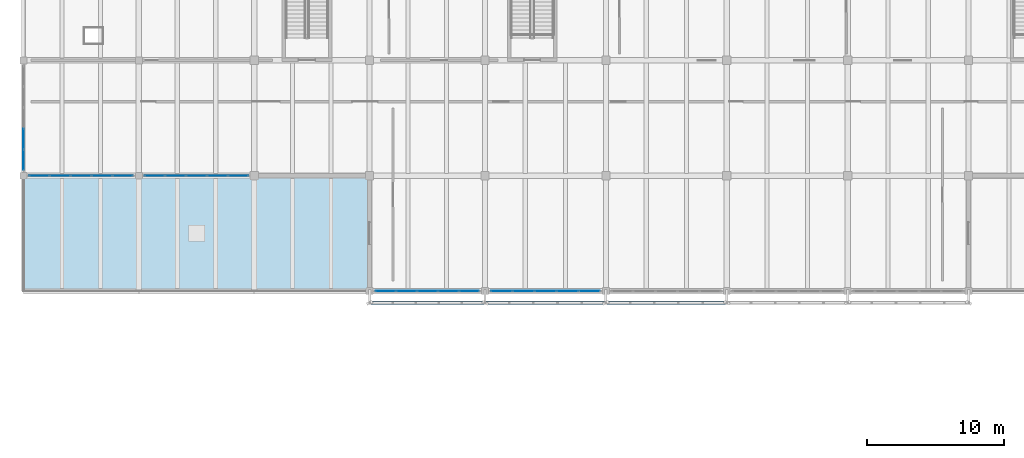
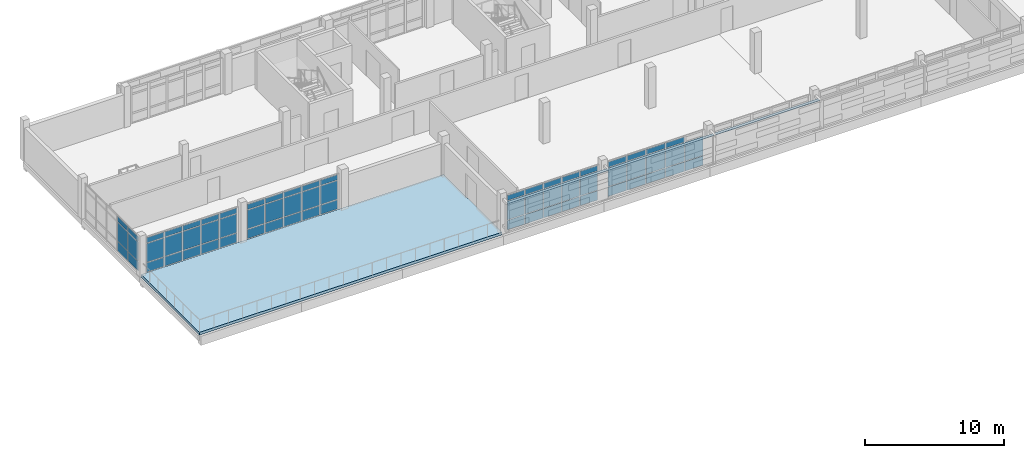
# One storey, part 37 of 50: 68 plates, 1 slab, 5 elements without a shape of their own.
"""IFC4 building model written with IfcOpenShell, lengths in metres."""

from ifc_helpers import new_model, si_unit, direction, frame, origin, origin_2d, place, context, subcontext, project, spatial, polyline, rectangle, outline, extrude, material, layer, layer_set, type_object, element, aggregate, save


model = new_model("IFC4")

# Units and contexts
model_context = context("Model", 3, precision=1e-05, world=origin(), true_north=direction((0.0, 1.0)))
body_context = subcontext(model_context, "Body", "Model", "MODEL_VIEW")
ifc_project = project(units=[si_unit("LENGTHUNIT", "METRE"), si_unit("AREAUNIT", "SQUARE_METRE"), si_unit("VOLUMEUNIT", "CUBIC_METRE"), si_unit("PLANEANGLEUNIT", "RADIAN"), si_unit("MASSUNIT", "GRAM", prefix="KILO")], contexts=[model_context])

# Site, building, storey
site_placement = place(None, origin())
site = spatial("IfcSite", under=ifc_project, at=site_placement, CompositionType="ELEMENT")
building_placement = place(site_placement, origin())
building = spatial("IfcBuilding", under=site, at=building_placement, Name="Cinderway Yard Community Centre", CompositionType="ELEMENT")
storey_placement = place(building_placement, frame((0.0, 0.0, 12.89990234375)))
storey = spatial("IfcBuildingStorey", under=building, at=storey_placement, Name="L03", CompositionType="ELEMENT", Elevation=12.89990234375)

# Curtain wall, plates
ifc_material_1 = material(Name="Aluminium 6063-T6", Category="aluminium")
curtain_wall_type_1 = type_object("IfcCurtainWallType", Name="ENV-CW-TYPE-32", PredefinedType="USERDEFINED", material=ifc_material_1)
curtain_wall_1_placement = place(storey_placement, origin())
curtain_wall_1 = element("IfcCurtainWall", 1, at=curtain_wall_1_placement, inside=storey, type_object=curtain_wall_type_1, Name="V4 West End Curtain Wall ENV-CW-L03-ST-0174", ObjectType="GLAZED CURTAIN WALL", PredefinedType="USERDEFINED")
ifc_material_2 = material(Name="Laminated Low-E Glass", Category="glass")
ifc_layer_1 = layer(ifc_material_2, 0.028076171875, Name="Laminated Low-E Glass")
ifc_layer_set_1 = layer_set([ifc_layer_1], Name="Laminated Low-E Glass")
plate_type_1 = type_object("IfcPlateType", Name="ENV-CW-PAN-IGU28", PredefinedType="CURTAIN_PANEL", material=ifc_layer_set_1)
plate_1_placement = place(storey_placement, frame((41.60009765625, 99.55908203125, 0.06005859375), z_axis=(0.0, 0.0, 1.0), x_axis=(0.0, 1.0, 0.0)))
plate_1 = element("IfcPlate", 2, at=plate_1_placement, type_object=plate_type_1, Name="CW-32 panel 1.1", PredefinedType="CURTAIN_PANEL", context=body_context, shape_type="SweptSolid", body=[
    extrude(rectangle(XDim=1.43798828125, YDim=0.028076171875, at=origin_2d()), origin(), (0.0, 0.0, 1.0), 0.81005859375),
])
plate_2_placement = place(storey_placement, frame((41.60009765625, 99.55908203125, 0.93017578125), z_axis=(0.0, 0.0, 1.0), x_axis=(0.0, 1.0, 0.0)))
plate_2 = element("IfcPlate", 3, at=plate_2_placement, type_object=plate_type_1, Name="CW-32 panel 1.2", PredefinedType="CURTAIN_PANEL", context=body_context, shape_type="SweptSolid", body=[
    extrude(rectangle(XDim=1.43798828125, YDim=0.028076171875, at=origin_2d()), origin(), (0.0, 0.0, 1.0), 1.639892578125),
])
plate_3_placement = place(storey_placement, frame((41.60009765625, 99.55908203125, 2.630126953125), z_axis=(0.0, 0.0, 1.0), x_axis=(0.0, 1.0, 0.0)))
plate_3 = element("IfcPlate", 4, at=plate_3_placement, type_object=plate_type_1, Name="CW-32 panel 1.3", PredefinedType="CURTAIN_PANEL", context=body_context, shape_type="SweptSolid", body=[
    extrude(rectangle(XDim=1.43798828125, YDim=0.028076171875, at=origin_2d()), origin(), (0.0, 0.0, 1.0), 0.4599609375),
])
plate_4_placement = place(storey_placement, frame((41.60009765625, 101.072021484375, 0.06005859375), z_axis=(0.0, 0.0, 1.0), x_axis=(0.0, 1.0, 0.0)))
plate_4 = element("IfcPlate", 5, at=plate_4_placement, type_object=plate_type_1, Name="CW-32 panel 2.1", PredefinedType="CURTAIN_PANEL", context=body_context, shape_type="SweptSolid", body=[
    extrude(rectangle(XDim=1.468017578125, YDim=0.028076171875, at=origin_2d()), origin(), (0.0, 0.0, 1.0), 0.81005859375),
])
plate_5_placement = place(storey_placement, frame((41.60009765625, 101.072021484375, 0.93017578125), z_axis=(0.0, 0.0, 1.0), x_axis=(0.0, 1.0, 0.0)))
plate_5 = element("IfcPlate", 6, at=plate_5_placement, type_object=plate_type_1, Name="CW-32 panel 2.2", PredefinedType="CURTAIN_PANEL", context=body_context, shape_type="SweptSolid", body=[
    extrude(rectangle(XDim=1.468017578125, YDim=0.028076171875, at=origin_2d()), origin(), (0.0, 0.0, 1.0), 1.639892578125),
])
plate_6_placement = place(storey_placement, frame((41.60009765625, 101.072021484375, 2.630126953125), z_axis=(0.0, 0.0, 1.0), x_axis=(0.0, 1.0, 0.0)))
plate_6 = element("IfcPlate", 7, at=plate_6_placement, type_object=plate_type_1, Name="CW-32 panel 2.3", PredefinedType="CURTAIN_PANEL", context=body_context, shape_type="SweptSolid", body=[
    extrude(rectangle(XDim=1.468017578125, YDim=0.028076171875, at=origin_2d()), origin(), (0.0, 0.0, 1.0), 0.4599609375),
])
aggregate(curtain_wall_1, [plate_1, plate_2, plate_3, plate_4, plate_5, plate_6])

curtain_wall_2_placement = place(storey_placement, origin())
curtain_wall_2 = element("IfcCurtainWall", 8, at=curtain_wall_2_placement, inside=storey, type_object=curtain_wall_type_1, Name="V4 Courtyard Curtain Wall ENV-CW-L03-HS-0160", ObjectType="GLAZED CURTAIN WALL", PredefinedType="USERDEFINED")
ifc_layer_2 = layer(ifc_material_2, 0.031982421875, Name="Laminated Low-E Glass")
ifc_layer_set_2 = layer_set([ifc_layer_2], Name="Laminated Low-E Glass")
plate_type_2 = type_object("IfcPlateType", Name="ENV-CW-PAN-IGU32", PredefinedType="CURTAIN_PANEL", material=ifc_layer_set_2)
plate_7_placement = place(storey_placement, frame((42.759033203125, 98.39990234375, 0.06005859375), z_axis=(0.0, 0.0, 1.0), x_axis=(1.0, 0.0, 0.0)))
plate_7 = element("IfcPlate", 9, at=plate_7_placement, type_object=plate_type_2, Name="CW-32 panel 1.1", PredefinedType="CURTAIN_PANEL", context=body_context, shape_type="SweptSolid", body=[
    extrude(rectangle(XDim=1.43798828125, YDim=0.028076171875, at=origin_2d()), origin(), (0.0, 0.0, 1.0), 0.81005859375),
])
plate_8_placement = place(storey_placement, frame((42.759033203125, 98.39990234375, 0.93017578125), z_axis=(0.0, 0.0, 1.0), x_axis=(1.0, 0.0, 0.0)))
plate_8 = element("IfcPlate", 10, at=plate_8_placement, type_object=plate_type_2, Name="CW-32 panel 1.2", PredefinedType="CURTAIN_PANEL", context=body_context, shape_type="SweptSolid", body=[
    extrude(rectangle(XDim=1.43798828125, YDim=0.028076171875, at=origin_2d()), origin(), (0.0, 0.0, 1.0), 1.639892578125),
])
plate_9_placement = place(storey_placement, frame((42.759033203125, 98.39990234375, 2.630126953125), z_axis=(0.0, 0.0, 1.0), x_axis=(1.0, 0.0, 0.0)))
plate_9 = element("IfcPlate", 11, at=plate_9_placement, type_object=plate_type_2, Name="CW-32 panel 1.3", PredefinedType="CURTAIN_PANEL", context=body_context, shape_type="SweptSolid", body=[
    extrude(rectangle(XDim=1.43798828125, YDim=0.028076171875, at=origin_2d()), origin(), (0.0, 0.0, 1.0), 0.4599609375),
])
plate_10_placement = place(storey_placement, frame((44.27197265625, 98.39990234375, 0.06005859375), z_axis=(0.0, 0.0, 1.0), x_axis=(1.0, 0.0, 0.0)))
plate_10 = element("IfcPlate", 12, at=plate_10_placement, type_object=plate_type_2, Name="CW-32 panel 2.1", PredefinedType="CURTAIN_PANEL", context=body_context, shape_type="SweptSolid", body=[
    extrude(rectangle(XDim=1.468017578125, YDim=0.028076171875, at=origin_2d()), origin(), (0.0, 0.0, 1.0), 0.81005859375),
])
plate_11_placement = place(storey_placement, frame((44.27197265625, 98.39990234375, 0.93017578125), z_axis=(0.0, 0.0, 1.0), x_axis=(1.0, 0.0, 0.0)))
plate_11 = element("IfcPlate", 13, at=plate_11_placement, type_object=plate_type_2, Name="CW-32 panel 2.2", PredefinedType="CURTAIN_PANEL", context=body_context, shape_type="SweptSolid", body=[
    extrude(rectangle(XDim=1.468017578125, YDim=0.028076171875, at=origin_2d()), origin(), (0.0, 0.0, 1.0), 1.639892578125),
])
plate_12_placement = place(storey_placement, frame((44.27197265625, 98.39990234375, 2.630126953125), z_axis=(0.0, 0.0, 1.0), x_axis=(1.0, 0.0, 0.0)))
plate_12 = element("IfcPlate", 14, at=plate_12_placement, type_object=plate_type_2, Name="CW-32 panel 2.3", PredefinedType="CURTAIN_PANEL", context=body_context, shape_type="SweptSolid", body=[
    extrude(rectangle(XDim=1.468017578125, YDim=0.028076171875, at=origin_2d()), origin(), (0.0, 0.0, 1.0), 0.4599609375),
])
plate_13_placement = place(storey_placement, frame((45.800048828125, 98.39990234375, 0.06005859375), z_axis=(0.0, 0.0, 1.0), x_axis=(1.0, 0.0, 0.0)))
plate_13 = element("IfcPlate", 15, at=plate_13_placement, type_object=plate_type_2, Name="CW-32 panel 3.1", PredefinedType="CURTAIN_PANEL", context=body_context, shape_type="SweptSolid", body=[
    extrude(rectangle(XDim=1.468017578125, YDim=0.028076171875, at=origin_2d()), origin(), (0.0, 0.0, 1.0), 0.81005859375),
])
plate_14_placement = place(storey_placement, frame((45.800048828125, 98.39990234375, 0.93017578125), z_axis=(0.0, 0.0, 1.0), x_axis=(1.0, 0.0, 0.0)))
plate_14 = element("IfcPlate", 16, at=plate_14_placement, type_object=plate_type_2, Name="CW-32 panel 3.2", PredefinedType="CURTAIN_PANEL", context=body_context, shape_type="SweptSolid", body=[
    extrude(rectangle(XDim=1.468017578125, YDim=0.028076171875, at=origin_2d()), origin(), (0.0, 0.0, 1.0), 1.639892578125),
])
plate_15_placement = place(storey_placement, frame((45.800048828125, 98.39990234375, 2.630126953125), z_axis=(0.0, 0.0, 1.0), x_axis=(1.0, 0.0, 0.0)))
plate_15 = element("IfcPlate", 17, at=plate_15_placement, type_object=plate_type_2, Name="CW-32 panel 3.3", PredefinedType="CURTAIN_PANEL", context=body_context, shape_type="SweptSolid", body=[
    extrude(rectangle(XDim=1.468017578125, YDim=0.028076171875, at=origin_2d()), origin(), (0.0, 0.0, 1.0), 0.4599609375),
])
plate_16_placement = place(storey_placement, frame((47.327880859375, 98.39990234375, 0.06005859375), z_axis=(0.0, 0.0, 1.0), x_axis=(1.0, 0.0, 0.0)))
plate_16 = element("IfcPlate", 18, at=plate_16_placement, type_object=plate_type_2, Name="CW-32 panel 4.1", PredefinedType="CURTAIN_PANEL", context=body_context, shape_type="SweptSolid", body=[
    extrude(rectangle(XDim=1.468017578125, YDim=0.028076171875, at=origin_2d()), origin(), (0.0, 0.0, 1.0), 0.81005859375),
])
plate_17_placement = place(storey_placement, frame((47.327880859375, 98.39990234375, 0.93017578125), z_axis=(0.0, 0.0, 1.0), x_axis=(1.0, 0.0, 0.0)))
plate_17 = element("IfcPlate", 19, at=plate_17_placement, type_object=plate_type_2, Name="CW-32 panel 4.2", PredefinedType="CURTAIN_PANEL", context=body_context, shape_type="SweptSolid", body=[
    extrude(rectangle(XDim=1.468017578125, YDim=0.028076171875, at=origin_2d()), origin(), (0.0, 0.0, 1.0), 1.639892578125),
])
plate_18_placement = place(storey_placement, frame((47.327880859375, 98.39990234375, 2.630126953125), z_axis=(0.0, 0.0, 1.0), x_axis=(1.0, 0.0, 0.0)))
plate_18 = element("IfcPlate", 20, at=plate_18_placement, type_object=plate_type_2, Name="CW-32 panel 4.3", PredefinedType="CURTAIN_PANEL", context=body_context, shape_type="SweptSolid", body=[
    extrude(rectangle(XDim=1.468017578125, YDim=0.028076171875, at=origin_2d()), origin(), (0.0, 0.0, 1.0), 0.4599609375),
])
plate_19_placement = place(storey_placement, frame((48.841064453125, 98.39990234375, 0.06005859375), z_axis=(0.0, 0.0, 1.0), x_axis=(1.0, 0.0, 0.0)))
plate_19 = element("IfcPlate", 21, at=plate_19_placement, type_object=plate_type_2, Name="CW-32 panel 5.1", PredefinedType="CURTAIN_PANEL", context=body_context, shape_type="SweptSolid", body=[
    extrude(rectangle(XDim=1.43798828125, YDim=0.028076171875, at=origin_2d()), origin(), (0.0, 0.0, 1.0), 0.81005859375),
])
plate_20_placement = place(storey_placement, frame((48.841064453125, 98.39990234375, 0.93017578125), z_axis=(0.0, 0.0, 1.0), x_axis=(1.0, 0.0, 0.0)))
plate_20 = element("IfcPlate", 22, at=plate_20_placement, type_object=plate_type_2, Name="CW-32 panel 5.2", PredefinedType="CURTAIN_PANEL", context=body_context, shape_type="SweptSolid", body=[
    extrude(rectangle(XDim=1.43798828125, YDim=0.028076171875, at=origin_2d()), origin(), (0.0, 0.0, 1.0), 1.639892578125),
])
plate_21_placement = place(storey_placement, frame((48.841064453125, 98.39990234375, 2.630126953125), z_axis=(0.0, 0.0, 1.0), x_axis=(1.0, 0.0, 0.0)))
plate_21 = element("IfcPlate", 23, at=plate_21_placement, type_object=plate_type_2, Name="CW-32 panel 5.3", PredefinedType="CURTAIN_PANEL", context=body_context, shape_type="SweptSolid", body=[
    extrude(rectangle(XDim=1.43798828125, YDim=0.028076171875, at=origin_2d()), origin(), (0.0, 0.0, 1.0), 0.4599609375),
])
aggregate(curtain_wall_2, [plate_7, plate_8, plate_9, plate_10, plate_11, plate_12, plate_13, plate_14, plate_15, plate_16, plate_17, plate_18, plate_19, plate_20, plate_21])

curtain_wall_3_placement = place(storey_placement, origin())
curtain_wall_3 = element("IfcCurtainWall", 24, at=curtain_wall_3_placement, inside=storey, type_object=curtain_wall_type_1, Name="V4 Courtyard Curtain Wall ENV-CW-L03-HS-0162", ObjectType="GLAZED CURTAIN WALL", PredefinedType="USERDEFINED")
plate_22_placement = place(storey_placement, frame((51.158935546875, 98.39990234375, 0.06005859375), z_axis=(0.0, 0.0, 1.0), x_axis=(1.0, 0.0, 0.0)))
plate_22 = element("IfcPlate", 25, at=plate_22_placement, type_object=plate_type_2, Name="CW-32 panel 1.1", PredefinedType="CURTAIN_PANEL", context=body_context, shape_type="SweptSolid", body=[
    extrude(rectangle(XDim=1.43798828125, YDim=0.028076171875, at=origin_2d()), origin(), (0.0, 0.0, 1.0), 0.81005859375),
])
plate_23_placement = place(storey_placement, frame((51.158935546875, 98.39990234375, 0.93017578125), z_axis=(0.0, 0.0, 1.0), x_axis=(1.0, 0.0, 0.0)))
plate_23 = element("IfcPlate", 26, at=plate_23_placement, type_object=plate_type_2, Name="CW-32 panel 1.2", PredefinedType="CURTAIN_PANEL", context=body_context, shape_type="SweptSolid", body=[
    extrude(rectangle(XDim=1.43798828125, YDim=0.028076171875, at=origin_2d()), origin(), (0.0, 0.0, 1.0), 1.639892578125),
])
plate_24_placement = place(storey_placement, frame((51.158935546875, 98.39990234375, 2.630126953125), z_axis=(0.0, 0.0, 1.0), x_axis=(1.0, 0.0, 0.0)))
plate_24 = element("IfcPlate", 27, at=plate_24_placement, type_object=plate_type_2, Name="CW-32 panel 1.3", PredefinedType="CURTAIN_PANEL", context=body_context, shape_type="SweptSolid", body=[
    extrude(rectangle(XDim=1.43798828125, YDim=0.028076171875, at=origin_2d()), origin(), (0.0, 0.0, 1.0), 0.4599609375),
])
plate_25_placement = place(storey_placement, frame((52.672119140625, 98.39990234375, 0.06005859375), z_axis=(0.0, 0.0, 1.0), x_axis=(1.0, 0.0, 0.0)))
plate_25 = element("IfcPlate", 28, at=plate_25_placement, type_object=plate_type_2, Name="CW-32 panel 2.1", PredefinedType="CURTAIN_PANEL", context=body_context, shape_type="SweptSolid", body=[
    extrude(rectangle(XDim=1.468017578125, YDim=0.028076171875, at=origin_2d()), origin(), (0.0, 0.0, 1.0), 0.81005859375),
])
plate_26_placement = place(storey_placement, frame((52.672119140625, 98.39990234375, 0.93017578125), z_axis=(0.0, 0.0, 1.0), x_axis=(1.0, 0.0, 0.0)))
plate_26 = element("IfcPlate", 29, at=plate_26_placement, type_object=plate_type_2, Name="CW-32 panel 2.2", PredefinedType="CURTAIN_PANEL", context=body_context, shape_type="SweptSolid", body=[
    extrude(rectangle(XDim=1.468017578125, YDim=0.028076171875, at=origin_2d()), origin(), (0.0, 0.0, 1.0), 1.639892578125),
])
plate_27_placement = place(storey_placement, frame((52.672119140625, 98.39990234375, 2.630126953125), z_axis=(0.0, 0.0, 1.0), x_axis=(1.0, 0.0, 0.0)))
plate_27 = element("IfcPlate", 30, at=plate_27_placement, type_object=plate_type_2, Name="CW-32 panel 2.3", PredefinedType="CURTAIN_PANEL", context=body_context, shape_type="SweptSolid", body=[
    extrude(rectangle(XDim=1.468017578125, YDim=0.028076171875, at=origin_2d()), origin(), (0.0, 0.0, 1.0), 0.4599609375),
])
plate_28_placement = place(storey_placement, frame((54.199951171875, 98.39990234375, 0.06005859375), z_axis=(0.0, 0.0, 1.0), x_axis=(1.0, 0.0, 0.0)))
plate_28 = element("IfcPlate", 31, at=plate_28_placement, type_object=plate_type_2, Name="CW-32 panel 3.1", PredefinedType="CURTAIN_PANEL", context=body_context, shape_type="SweptSolid", body=[
    extrude(rectangle(XDim=1.468017578125, YDim=0.028076171875, at=origin_2d()), origin(), (0.0, 0.0, 1.0), 0.81005859375),
])
plate_29_placement = place(storey_placement, frame((54.199951171875, 98.39990234375, 0.93017578125), z_axis=(0.0, 0.0, 1.0), x_axis=(1.0, 0.0, 0.0)))
plate_29 = element("IfcPlate", 32, at=plate_29_placement, type_object=plate_type_2, Name="CW-32 panel 3.2", PredefinedType="CURTAIN_PANEL", context=body_context, shape_type="SweptSolid", body=[
    extrude(rectangle(XDim=1.468017578125, YDim=0.028076171875, at=origin_2d()), origin(), (0.0, 0.0, 1.0), 1.639892578125),
])
plate_30_placement = place(storey_placement, frame((54.199951171875, 98.39990234375, 2.630126953125), z_axis=(0.0, 0.0, 1.0), x_axis=(1.0, 0.0, 0.0)))
plate_30 = element("IfcPlate", 33, at=plate_30_placement, type_object=plate_type_2, Name="CW-32 panel 3.3", PredefinedType="CURTAIN_PANEL", context=body_context, shape_type="SweptSolid", body=[
    extrude(rectangle(XDim=1.468017578125, YDim=0.028076171875, at=origin_2d()), origin(), (0.0, 0.0, 1.0), 0.4599609375),
])
plate_31_placement = place(storey_placement, frame((55.72802734375, 98.39990234375, 0.06005859375), z_axis=(0.0, 0.0, 1.0), x_axis=(1.0, 0.0, 0.0)))
plate_31 = element("IfcPlate", 34, at=plate_31_placement, type_object=plate_type_2, Name="CW-32 panel 4.1", PredefinedType="CURTAIN_PANEL", context=body_context, shape_type="SweptSolid", body=[
    extrude(rectangle(XDim=1.468017578125, YDim=0.028076171875, at=origin_2d()), origin(), (0.0, 0.0, 1.0), 0.81005859375),
])
plate_32_placement = place(storey_placement, frame((55.72802734375, 98.39990234375, 0.93017578125), z_axis=(0.0, 0.0, 1.0), x_axis=(1.0, 0.0, 0.0)))
plate_32 = element("IfcPlate", 35, at=plate_32_placement, type_object=plate_type_2, Name="CW-32 panel 4.2", PredefinedType="CURTAIN_PANEL", context=body_context, shape_type="SweptSolid", body=[
    extrude(rectangle(XDim=1.468017578125, YDim=0.028076171875, at=origin_2d()), origin(), (0.0, 0.0, 1.0), 1.639892578125),
])
plate_33_placement = place(storey_placement, frame((55.72802734375, 98.39990234375, 2.630126953125), z_axis=(0.0, 0.0, 1.0), x_axis=(1.0, 0.0, 0.0)))
plate_33 = element("IfcPlate", 36, at=plate_33_placement, type_object=plate_type_2, Name="CW-32 panel 4.3", PredefinedType="CURTAIN_PANEL", context=body_context, shape_type="SweptSolid", body=[
    extrude(rectangle(XDim=1.468017578125, YDim=0.028076171875, at=origin_2d()), origin(), (0.0, 0.0, 1.0), 0.4599609375),
])
plate_34_placement = place(storey_placement, frame((57.240966796875, 98.39990234375, 0.06005859375), z_axis=(0.0, 0.0, 1.0), x_axis=(1.0, 0.0, 0.0)))
plate_34 = element("IfcPlate", 37, at=plate_34_placement, type_object=plate_type_2, Name="CW-32 panel 5.1", PredefinedType="CURTAIN_PANEL", context=body_context, shape_type="SweptSolid", body=[
    extrude(rectangle(XDim=1.43798828125, YDim=0.028076171875, at=origin_2d()), origin(), (0.0, 0.0, 1.0), 0.81005859375),
])
plate_35_placement = place(storey_placement, frame((57.240966796875, 98.39990234375, 0.93017578125), z_axis=(0.0, 0.0, 1.0), x_axis=(1.0, 0.0, 0.0)))
plate_35 = element("IfcPlate", 38, at=plate_35_placement, type_object=plate_type_2, Name="CW-32 panel 5.2", PredefinedType="CURTAIN_PANEL", context=body_context, shape_type="SweptSolid", body=[
    extrude(rectangle(XDim=1.43798828125, YDim=0.028076171875, at=origin_2d()), origin(), (0.0, 0.0, 1.0), 1.639892578125),
])
plate_36_placement = place(storey_placement, frame((57.240966796875, 98.39990234375, 2.630126953125), z_axis=(0.0, 0.0, 1.0), x_axis=(1.0, 0.0, 0.0)))
plate_36 = element("IfcPlate", 39, at=plate_36_placement, type_object=plate_type_2, Name="CW-32 panel 5.3", PredefinedType="CURTAIN_PANEL", context=body_context, shape_type="SweptSolid", body=[
    extrude(rectangle(XDim=1.43798828125, YDim=0.028076171875, at=origin_2d()), origin(), (0.0, 0.0, 1.0), 0.4599609375),
])
aggregate(curtain_wall_3, [plate_22, plate_23, plate_24, plate_25, plate_26, plate_27, plate_28, plate_29, plate_30, plate_31, plate_32, plate_33, plate_34, plate_35, plate_36])

curtain_wall_4_placement = place(storey_placement, origin())
curtain_wall_4 = element("IfcCurtainWall", 40, at=curtain_wall_4_placement, inside=storey, type_object=curtain_wall_type_1, Name="V4 Courtyard Curtain Wall ENV-CW-L03-HS-0164", ObjectType="GLAZED CURTAIN WALL", PredefinedType="USERDEFINED")
plate_37_placement = place(storey_placement, frame((67.958984375, 90.0, 0.06005859375), z_axis=(0.0, 0.0, 1.0), x_axis=(1.0, 0.0, 0.0)))
plate_37 = element("IfcPlate", 41, at=plate_37_placement, type_object=plate_type_2, Name="CW-32 panel 1.1", PredefinedType="CURTAIN_PANEL", context=body_context, shape_type="SweptSolid", body=[
    extrude(rectangle(XDim=1.43798828125, YDim=0.028076171875, at=origin_2d()), origin(), (0.0, 0.0, 1.0), 0.81005859375),
])
plate_38_placement = place(storey_placement, frame((67.958984375, 90.0, 0.93017578125), z_axis=(0.0, 0.0, 1.0), x_axis=(1.0, 0.0, 0.0)))
plate_38 = element("IfcPlate", 42, at=plate_38_placement, type_object=plate_type_2, Name="CW-32 panel 1.2", PredefinedType="CURTAIN_PANEL", context=body_context, shape_type="SweptSolid", body=[
    extrude(rectangle(XDim=1.43798828125, YDim=0.028076171875, at=origin_2d()), origin(), (0.0, 0.0, 1.0), 1.639892578125),
])
plate_39_placement = place(storey_placement, frame((67.958984375, 90.0, 2.630126953125), z_axis=(0.0, 0.0, 1.0), x_axis=(1.0, 0.0, 0.0)))
plate_39 = element("IfcPlate", 43, at=plate_39_placement, type_object=plate_type_2, Name="CW-32 panel 1.3", PredefinedType="CURTAIN_PANEL", context=body_context, shape_type="SweptSolid", body=[
    extrude(rectangle(XDim=1.43798828125, YDim=0.028076171875, at=origin_2d()), origin(), (0.0, 0.0, 1.0), 0.4599609375),
])
plate_40_placement = place(storey_placement, frame((69.471923828125, 90.0, 0.06005859375), z_axis=(0.0, 0.0, 1.0), x_axis=(1.0, 0.0, 0.0)))
plate_40 = element("IfcPlate", 44, at=plate_40_placement, type_object=plate_type_2, Name="CW-32 panel 2.1", PredefinedType="CURTAIN_PANEL", context=body_context, shape_type="SweptSolid", body=[
    extrude(rectangle(XDim=1.468017578125, YDim=0.028076171875, at=origin_2d()), origin(), (0.0, 0.0, 1.0), 0.81005859375),
])
plate_41_placement = place(storey_placement, frame((69.471923828125, 90.0, 0.93017578125), z_axis=(0.0, 0.0, 1.0), x_axis=(1.0, 0.0, 0.0)))
plate_41 = element("IfcPlate", 45, at=plate_41_placement, type_object=plate_type_2, Name="CW-32 panel 2.2", PredefinedType="CURTAIN_PANEL", context=body_context, shape_type="SweptSolid", body=[
    extrude(rectangle(XDim=1.468017578125, YDim=0.028076171875, at=origin_2d()), origin(), (0.0, 0.0, 1.0), 1.639892578125),
])
plate_42_placement = place(storey_placement, frame((69.471923828125, 90.0, 2.630126953125), z_axis=(0.0, 0.0, 1.0), x_axis=(1.0, 0.0, 0.0)))
plate_42 = element("IfcPlate", 46, at=plate_42_placement, type_object=plate_type_2, Name="CW-32 panel 2.3", PredefinedType="CURTAIN_PANEL", context=body_context, shape_type="SweptSolid", body=[
    extrude(rectangle(XDim=1.468017578125, YDim=0.028076171875, at=origin_2d()), origin(), (0.0, 0.0, 1.0), 0.4599609375),
])
plate_43_placement = place(storey_placement, frame((71.0, 90.0, 0.06005859375), z_axis=(0.0, 0.0, 1.0), x_axis=(1.0, 0.0, 0.0)))
plate_43 = element("IfcPlate", 47, at=plate_43_placement, type_object=plate_type_2, Name="CW-32 panel 3.1", PredefinedType="CURTAIN_PANEL", context=body_context, shape_type="SweptSolid", body=[
    extrude(rectangle(XDim=1.468017578125, YDim=0.028076171875, at=origin_2d()), origin(), (0.0, 0.0, 1.0), 0.81005859375),
])
plate_44_placement = place(storey_placement, frame((71.0, 90.0, 0.93017578125), z_axis=(0.0, 0.0, 1.0), x_axis=(1.0, 0.0, 0.0)))
plate_44 = element("IfcPlate", 48, at=plate_44_placement, type_object=plate_type_2, Name="CW-32 panel 3.2", PredefinedType="CURTAIN_PANEL", context=body_context, shape_type="SweptSolid", body=[
    extrude(rectangle(XDim=1.468017578125, YDim=0.028076171875, at=origin_2d()), origin(), (0.0, 0.0, 1.0), 1.639892578125),
])
plate_45_placement = place(storey_placement, frame((71.0, 90.0, 2.630126953125), z_axis=(0.0, 0.0, 1.0), x_axis=(1.0, 0.0, 0.0)))
plate_45 = element("IfcPlate", 49, at=plate_45_placement, type_object=plate_type_2, Name="CW-32 panel 3.3", PredefinedType="CURTAIN_PANEL", context=body_context, shape_type="SweptSolid", body=[
    extrude(rectangle(XDim=1.468017578125, YDim=0.028076171875, at=origin_2d()), origin(), (0.0, 0.0, 1.0), 0.4599609375),
])
plate_46_placement = place(storey_placement, frame((72.528076171875, 90.0, 0.06005859375), z_axis=(0.0, 0.0, 1.0), x_axis=(1.0, 0.0, 0.0)))
plate_46 = element("IfcPlate", 50, at=plate_46_placement, type_object=plate_type_2, Name="CW-32 panel 4.1", PredefinedType="CURTAIN_PANEL", context=body_context, shape_type="SweptSolid", body=[
    extrude(rectangle(XDim=1.468017578125, YDim=0.028076171875, at=origin_2d()), origin(), (0.0, 0.0, 1.0), 0.81005859375),
])
plate_47_placement = place(storey_placement, frame((72.528076171875, 90.0, 0.93017578125), z_axis=(0.0, 0.0, 1.0), x_axis=(1.0, 0.0, 0.0)))
plate_47 = element("IfcPlate", 51, at=plate_47_placement, type_object=plate_type_2, Name="CW-32 panel 4.2", PredefinedType="CURTAIN_PANEL", context=body_context, shape_type="SweptSolid", body=[
    extrude(rectangle(XDim=1.468017578125, YDim=0.028076171875, at=origin_2d()), origin(), (0.0, 0.0, 1.0), 1.639892578125),
])
plate_48_placement = place(storey_placement, frame((72.528076171875, 90.0, 2.630126953125), z_axis=(0.0, 0.0, 1.0), x_axis=(1.0, 0.0, 0.0)))
plate_48 = element("IfcPlate", 52, at=plate_48_placement, type_object=plate_type_2, Name="CW-32 panel 4.3", PredefinedType="CURTAIN_PANEL", context=body_context, shape_type="SweptSolid", body=[
    extrude(rectangle(XDim=1.468017578125, YDim=0.028076171875, at=origin_2d()), origin(), (0.0, 0.0, 1.0), 0.4599609375),
])
plate_49_placement = place(storey_placement, frame((74.041015625, 90.0, 0.06005859375), z_axis=(0.0, 0.0, 1.0), x_axis=(1.0, 0.0, 0.0)))
plate_49 = element("IfcPlate", 53, at=plate_49_placement, type_object=plate_type_2, Name="CW-32 panel 5.1", PredefinedType="CURTAIN_PANEL", context=body_context, shape_type="SweptSolid", body=[
    extrude(rectangle(XDim=1.43798828125, YDim=0.028076171875, at=origin_2d()), origin(), (0.0, 0.0, 1.0), 0.81005859375),
])
plate_50_placement = place(storey_placement, frame((74.041015625, 90.0, 0.93017578125), z_axis=(0.0, 0.0, 1.0), x_axis=(1.0, 0.0, 0.0)))
plate_50 = element("IfcPlate", 54, at=plate_50_placement, type_object=plate_type_2, Name="CW-32 panel 5.2", PredefinedType="CURTAIN_PANEL", context=body_context, shape_type="SweptSolid", body=[
    extrude(rectangle(XDim=1.43798828125, YDim=0.028076171875, at=origin_2d()), origin(), (0.0, 0.0, 1.0), 1.639892578125),
])
plate_51_placement = place(storey_placement, frame((74.041015625, 90.0, 2.630126953125), z_axis=(0.0, 0.0, 1.0), x_axis=(1.0, 0.0, 0.0)))
plate_51 = element("IfcPlate", 55, at=plate_51_placement, type_object=plate_type_2, Name="CW-32 panel 5.3", PredefinedType="CURTAIN_PANEL", context=body_context, shape_type="SweptSolid", body=[
    extrude(rectangle(XDim=1.43798828125, YDim=0.028076171875, at=origin_2d()), origin(), (0.0, 0.0, 1.0), 0.4599609375),
])
aggregate(curtain_wall_4, [plate_37, plate_38, plate_39, plate_40, plate_41, plate_42, plate_43, plate_44, plate_45, plate_46, plate_47, plate_48, plate_49, plate_50, plate_51])

curtain_wall_type_2 = type_object("IfcCurtainWallType", Name="ENV-CW-TYPE-33", PredefinedType="USERDEFINED", material=ifc_material_1)
curtain_wall_5_placement = place(storey_placement, origin())
curtain_wall_5 = element("IfcCurtainWall", 56, at=curtain_wall_5_placement, inside=storey, type_object=curtain_wall_type_2, Name="V4 Courtyard Curtain Wall ENV-CW-L03-HS-0165", ObjectType="GLAZED CURTAIN WALL", PredefinedType="USERDEFINED")
plate_52_placement = place(storey_placement, frame((76.39892578125, 90.0, 0.06005859375), z_axis=(0.0, 0.0, 1.0), x_axis=(1.0, 0.0, 0.0)))
plate_52 = element("IfcPlate", 57, at=plate_52_placement, type_object=plate_type_2, Name="CW-33 panel 1.1", PredefinedType="CURTAIN_PANEL", context=body_context, shape_type="SweptSolid", body=[
    extrude(rectangle(XDim=1.51806640625, YDim=0.028076171875, at=origin_2d()), origin(), (0.0, 0.0, 1.0), 0.81005859375),
])
plate_53_placement = place(storey_placement, frame((76.39892578125, 90.0, 0.93017578125), z_axis=(0.0, 0.0, 1.0), x_axis=(1.0, 0.0, 0.0)))
plate_53 = element("IfcPlate", 58, at=plate_53_placement, type_object=plate_type_2, Name="CW-33 panel 1.2", PredefinedType="CURTAIN_PANEL", context=body_context, shape_type="SweptSolid", body=[
    extrude(rectangle(XDim=1.51806640625, YDim=0.028076171875, at=origin_2d()), origin(), (0.0, 0.0, 1.0), 1.639892578125),
])
plate_54_placement = place(storey_placement, frame((76.39892578125, 90.0, 2.630126953125), z_axis=(0.0, 0.0, 1.0), x_axis=(1.0, 0.0, 0.0)))
plate_54 = element("IfcPlate", 59, at=plate_54_placement, type_object=plate_type_2, Name="CW-33 panel 1.3", PredefinedType="CURTAIN_PANEL", context=body_context, shape_type="SweptSolid", body=[
    extrude(rectangle(XDim=1.51806640625, YDim=0.028076171875, at=origin_2d()), origin(), (0.0, 0.0, 1.0), 0.4599609375),
])
plate_55_placement = place(storey_placement, frame((77.991943359375, 90.0, 0.06005859375), z_axis=(0.0, 0.0, 1.0), x_axis=(1.0, 0.0, 0.0)))
plate_55 = element("IfcPlate", 60, at=plate_55_placement, type_object=plate_type_2, Name="CW-33 panel 2.1", PredefinedType="CURTAIN_PANEL", context=body_context, shape_type="SweptSolid", body=[
    extrude(rectangle(XDim=1.548095703125, YDim=0.028076171875, at=origin_2d()), origin(), (0.0, 0.0, 1.0), 0.81005859375),
])
plate_56_placement = place(storey_placement, frame((77.991943359375, 90.0, 0.93017578125), z_axis=(0.0, 0.0, 1.0), x_axis=(1.0, 0.0, 0.0)))
plate_56 = element("IfcPlate", 61, at=plate_56_placement, type_object=plate_type_2, Name="CW-33 panel 2.2", PredefinedType="CURTAIN_PANEL", context=body_context, shape_type="SweptSolid", body=[
    extrude(rectangle(XDim=1.548095703125, YDim=0.028076171875, at=origin_2d()), origin(), (0.0, 0.0, 1.0), 1.639892578125),
])
plate_57_placement = place(storey_placement, frame((77.991943359375, 90.0, 2.630126953125), z_axis=(0.0, 0.0, 1.0), x_axis=(1.0, 0.0, 0.0)))
plate_57 = element("IfcPlate", 62, at=plate_57_placement, type_object=plate_type_2, Name="CW-33 panel 2.3", PredefinedType="CURTAIN_PANEL", context=body_context, shape_type="SweptSolid", body=[
    extrude(rectangle(XDim=1.548095703125, YDim=0.028076171875, at=origin_2d()), origin(), (0.0, 0.0, 1.0), 0.4599609375),
])
plate_58_placement = place(storey_placement, frame((79.60009765625, 90.0, 0.06005859375), z_axis=(0.0, 0.0, 1.0), x_axis=(1.0, 0.0, 0.0)))
plate_58 = element("IfcPlate", 63, at=plate_58_placement, type_object=plate_type_2, Name="CW-33 panel 3.1", PredefinedType="CURTAIN_PANEL", context=body_context, shape_type="SweptSolid", body=[
    extrude(rectangle(XDim=1.548095703125, YDim=0.028076171875, at=origin_2d()), origin(), (0.0, 0.0, 1.0), 0.81005859375),
])
plate_59_placement = place(storey_placement, frame((79.60009765625, 90.0, 0.93017578125), z_axis=(0.0, 0.0, 1.0), x_axis=(1.0, 0.0, 0.0)))
plate_59 = element("IfcPlate", 64, at=plate_59_placement, type_object=plate_type_2, Name="CW-33 panel 3.2", PredefinedType="CURTAIN_PANEL", context=body_context, shape_type="SweptSolid", body=[
    extrude(rectangle(XDim=1.548095703125, YDim=0.028076171875, at=origin_2d()), origin(), (0.0, 0.0, 1.0), 1.639892578125),
])
plate_60_placement = place(storey_placement, frame((79.60009765625, 90.0, 2.630126953125), z_axis=(0.0, 0.0, 1.0), x_axis=(1.0, 0.0, 0.0)))
plate_60 = element("IfcPlate", 65, at=plate_60_placement, type_object=plate_type_2, Name="CW-33 panel 3.3", PredefinedType="CURTAIN_PANEL", context=body_context, shape_type="SweptSolid", body=[
    extrude(rectangle(XDim=1.548095703125, YDim=0.028076171875, at=origin_2d()), origin(), (0.0, 0.0, 1.0), 0.4599609375),
])
plate_61_placement = place(storey_placement, frame((81.2080078125, 90.0, 0.06005859375), z_axis=(0.0, 0.0, 1.0), x_axis=(1.0, 0.0, 0.0)))
plate_61 = element("IfcPlate", 66, at=plate_61_placement, type_object=plate_type_2, Name="CW-33 panel 4.1", PredefinedType="CURTAIN_PANEL", context=body_context, shape_type="SweptSolid", body=[
    extrude(rectangle(XDim=1.548095703125, YDim=0.028076171875, at=origin_2d()), origin(), (0.0, 0.0, 1.0), 0.81005859375),
])
plate_62_placement = place(storey_placement, frame((81.2080078125, 90.0, 0.93017578125), z_axis=(0.0, 0.0, 1.0), x_axis=(1.0, 0.0, 0.0)))
plate_62 = element("IfcPlate", 67, at=plate_62_placement, type_object=plate_type_2, Name="CW-33 panel 4.2", PredefinedType="CURTAIN_PANEL", context=body_context, shape_type="SweptSolid", body=[
    extrude(rectangle(XDim=1.548095703125, YDim=0.028076171875, at=origin_2d()), origin(), (0.0, 0.0, 1.0), 1.639892578125),
])
plate_63_placement = place(storey_placement, frame((81.2080078125, 90.0, 2.630126953125), z_axis=(0.0, 0.0, 1.0), x_axis=(1.0, 0.0, 0.0)))
plate_63 = element("IfcPlate", 68, at=plate_63_placement, type_object=plate_type_2, Name="CW-33 panel 4.3", PredefinedType="CURTAIN_PANEL", context=body_context, shape_type="SweptSolid", body=[
    extrude(rectangle(XDim=1.548095703125, YDim=0.028076171875, at=origin_2d()), origin(), (0.0, 0.0, 1.0), 0.4599609375),
])
plate_64_placement = place(storey_placement, frame((82.801025390625, 90.0, 0.06005859375), z_axis=(0.0, 0.0, 1.0), x_axis=(1.0, 0.0, 0.0)))
plate_64 = element("IfcPlate", 69, at=plate_64_placement, type_object=plate_type_2, Name="CW-33 panel 5.1", PredefinedType="CURTAIN_PANEL", context=body_context, shape_type="SweptSolid", body=[
    extrude(rectangle(XDim=1.51806640625, YDim=0.028076171875, at=origin_2d()), origin(), (0.0, 0.0, 1.0), 0.81005859375),
])
plate_65_placement = place(storey_placement, frame((82.801025390625, 90.0, 0.93017578125), z_axis=(0.0, 0.0, 1.0), x_axis=(1.0, 0.0, 0.0)))
plate_65 = element("IfcPlate", 70, at=plate_65_placement, type_object=plate_type_2, Name="CW-33 panel 5.2", PredefinedType="CURTAIN_PANEL", context=body_context, shape_type="SweptSolid", body=[
    extrude(rectangle(XDim=1.51806640625, YDim=0.028076171875, at=origin_2d()), origin(), (0.0, 0.0, 1.0), 1.639892578125),
])
aggregate(curtain_wall_5, [plate_52, plate_53, plate_54, plate_55, plate_56, plate_57, plate_58, plate_59, plate_60, plate_61, plate_62, plate_63, plate_64, plate_65])

# Plates
ifc_layer_3 = layer(ifc_material_1, 0.01611328125, Name="Aluminium 6063-T6")
ifc_layer_set_3 = layer_set([ifc_layer_3], Name="Aluminium 6063-T6")
plate_type_3 = type_object("IfcPlateType", Name="ENV-PLT-FASCIA16", PredefinedType="USERDEFINED", material=ifc_layer_set_3)
plate_66_placement = place(storey_placement, frame((71.0, 89.14990234375, 3.112060546875), z_axis=(0.0, 0.0, 1.0), x_axis=(-1.0, 0.0, 0.0)))
element("IfcPlate", 71, at=plate_66_placement, inside=storey, type_object=plate_type_3, Name="Screen coping fascia 0063", ObjectType="FASCIA PLATE", PredefinedType="USERDEFINED", context=body_context, shape_type="SweptSolid", body=[
    extrude(rectangle(XDim=8.300048828125, YDim=0.260009765625, at=origin_2d()), origin(), (0.0, 0.0, 1.0), 0.01611328125),
])
for number, where, z_axis, x_axis, name in (
    (72, (79.60009765625, 89.14990234375, 3.112060546875), (0.0, 0.0, 1.0), (-1.0, 0.0, 0.0), "Screen coping fascia 0064"),
    (73, (88.39990234375, 89.14990234375, 3.112060546875), (0.0, 0.0, 1.0), (-1.0, 0.0, 0.0), "Screen coping fascia 0065"),
):
    element("IfcPlate", number, at=place(storey_placement, frame(where, z_axis=z_axis, x_axis=x_axis)), inside=storey, type_object=plate_type_3, Name=name, ObjectType="FASCIA PLATE", PredefinedType="USERDEFINED", context=body_context, shape_type="SweptSolid", body=[
        extrude(rectangle(XDim=8.699951171875, YDim=0.260009765625, at=origin_2d()), origin(), (0.0, 0.0, 1.0), 0.01611328125),
    ])

# Slab
ifc_material_3 = material(Name="Concrete C40/50", Category="concrete")
ifc_layer_4 = layer(ifc_material_3, 0.239990234375, Name="Concrete C40/50")
ifc_layer_set_4 = layer_set([ifc_layer_4], Name="Concrete C40/50")
slab_type = type_object("IfcSlabType", Name="STR-SLAB-TER-240", PredefinedType="FLOOR", material=ifc_layer_set_4)
slab_placement = place(storey_placement, frame((0.0, 0.0, -0.239990234375)))
element("IfcSlab", 74, at=slab_placement, inside=storey, type_object=slab_type, Name="V4 West Reading Terrace Slab L03 STR-SLAB-L03-038", PredefinedType="FLOOR", context=body_context, shape_type="SweptSolid", body=[
    extrude(outline(polyline([(41.60009765625, 90.0), (66.800048828125, 90.0), (66.800048828125, 98.39990234375), (41.60009765625, 98.39990234375), (41.60009765625, 90.0)])), origin(), (0.0, 0.0, 1.0), 0.239990234375),
])

save(model, "model.ifc")
